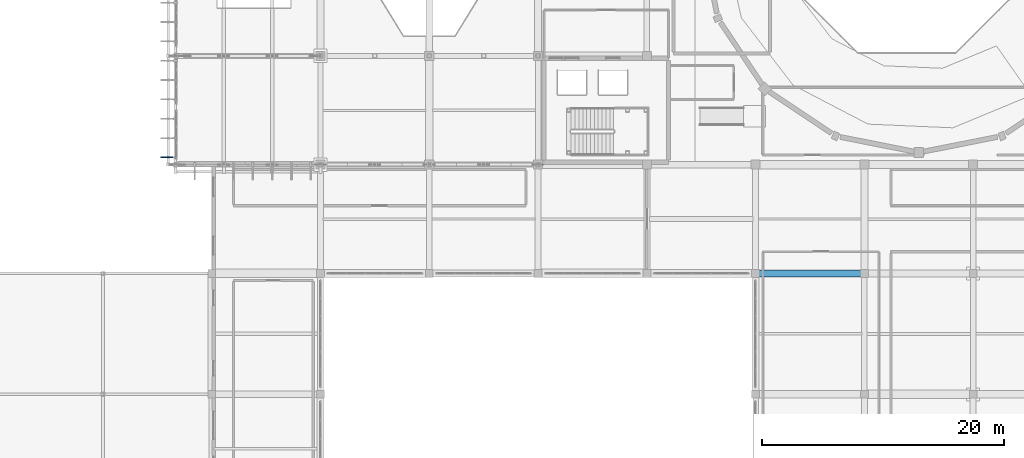
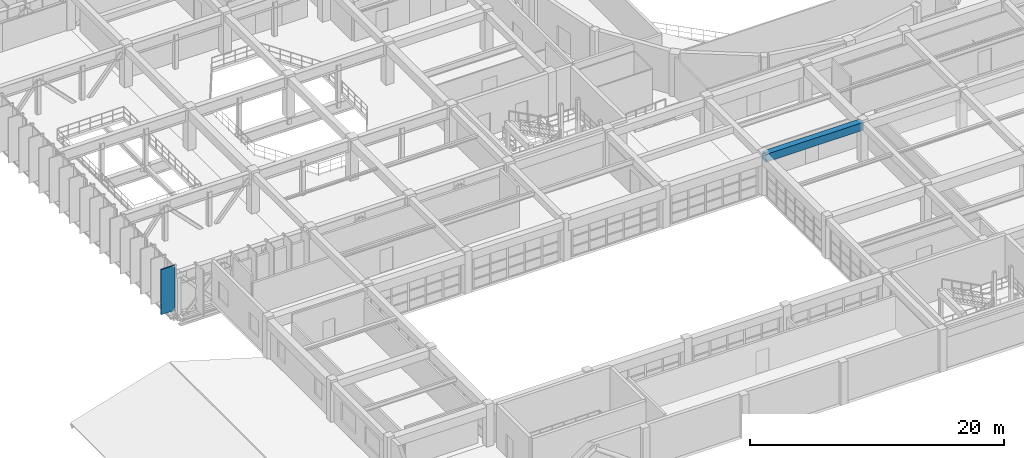
# One storey, part 32 of 130: 1 beam, 1 member.
"""IFC4 building model written with IfcOpenShell, lengths in metres."""

from ifc_helpers import new_model, si_unit, direction, frame, origin, origin_2d, place, context, subcontext, project, spatial, rectangle, extrude, material, material_profile, profile_set, type_object, element, save


model = new_model("IFC4")

# Units and contexts
model_context = context("Model", 3, precision=1e-05, world=origin(), true_north=direction((0.0, 1.0)))
body_context = subcontext(model_context, "Body", "Model", "MODEL_VIEW")
ifc_project = project(units=[si_unit("LENGTHUNIT", "METRE"), si_unit("AREAUNIT", "SQUARE_METRE"), si_unit("VOLUMEUNIT", "CUBIC_METRE"), si_unit("PLANEANGLEUNIT", "RADIAN"), si_unit("MASSUNIT", "GRAM", prefix="KILO")], contexts=[model_context])

# Site, building, storey
site_placement = place(None, origin())
site = spatial("IfcSite", under=ifc_project, at=site_placement, CompositionType="ELEMENT")
building_placement = place(site_placement, origin())
building = spatial("IfcBuilding", under=site, at=building_placement, Name="Miravela Opera House", CompositionType="ELEMENT")
storey_placement = place(building_placement, frame((0.0, 0.0, 9.52001953125)))
storey = spatial("IfcBuildingStorey", under=building, at=storey_placement, Name="L02", CompositionType="ELEMENT", Elevation=9.52001953125)

# Member
ifc_material_1 = material(Name="Anodised architectural bronze aluminium 6063-T6", Category="aluminium")
ifc_material_profile_1 = material_profile(ifc_material_1, rectangle(XDim=0.090087890625, YDim=1.25, at=origin_2d()), Name="FIN-1250X90")
ifc_profile_set_1 = profile_set([ifc_material_profile_1])
member_type = type_object("IfcMemberType", Name="ARC-FIN-1250", PredefinedType="USERDEFINED", material=ifc_profile_set_1)
member_placement = place(storey_placement, frame((14.39501953125, 37.60009765625, -0.260009765625), z_axis=(0.0, 0.0, 1.0), x_axis=(0.0, 1.0, 0.0)))
element("IfcMember", 1, at=member_placement, inside=storey, type_object=member_type, Name="Auditorium Wrapper Bronze Solar Fin FIN-L02-WEST-0001", ObjectType="FIN", PredefinedType="USERDEFINED", context=body_context, shape_type="SweptSolid", body=[
    extrude(rectangle(XDim=0.090087890625, YDim=1.25, at=origin_2d()), origin(), (0.0, 0.0, 1.0), 4.340087890625),
])

# Beam
ifc_material_2 = material(Name="Concrete C35/45", Category="concrete")
ifc_material_profile_2 = material_profile(ifc_material_2, rectangle(XDim=0.550048828125, YDim=0.75, at=origin_2d()), Name="RC-BM-550X750")
ifc_profile_set_2 = profile_set([ifc_material_profile_2])
beam_type = type_object("IfcBeamType", Name="STR-BM-RC550X750", PredefinedType="BEAM", material=ifc_profile_set_2)
beam_placement = place(storey_placement, frame((63.080078125, 28.0, 3.465087890625), z_axis=(1.0, 0.0, 0.0), x_axis=(0.0, 1.0, 0.0)))
element("IfcBeam", 2, at=beam_placement, inside=storey, type_object=beam_type, Name="Floor Girder L02 8-9/D", PredefinedType="BEAM", context=body_context, shape_type="SweptSolid", body=[
    extrude(rectangle(XDim=0.550048828125, YDim=0.75, at=origin_2d()), origin(), (0.0, 0.0, 1.0), 8.83984375),
])

save(model, "model.ifc")
